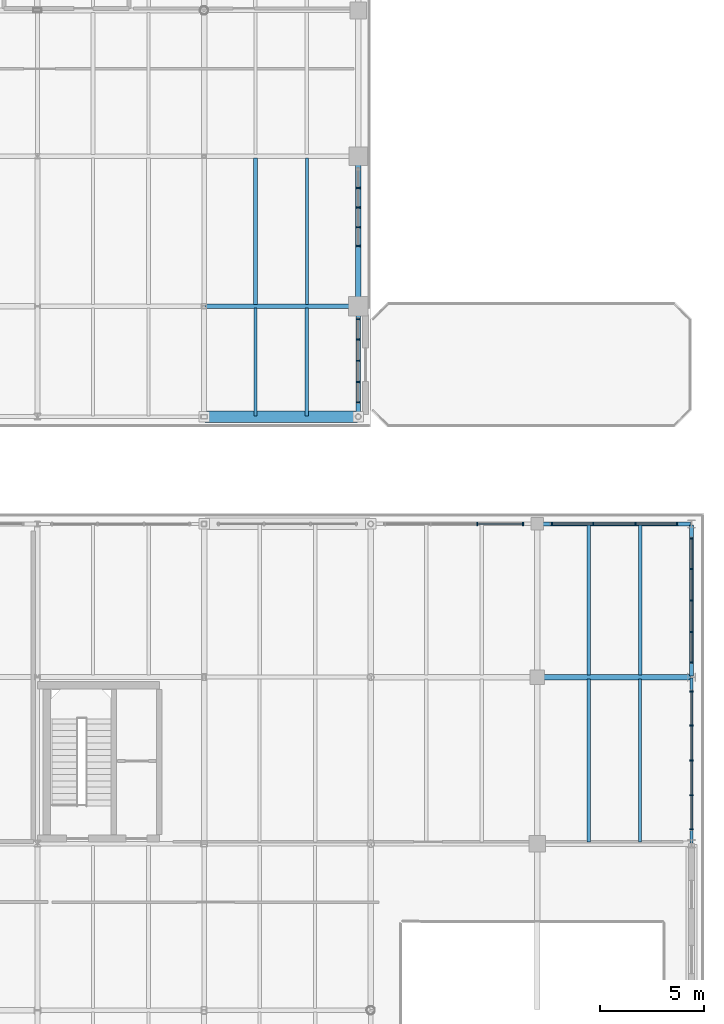
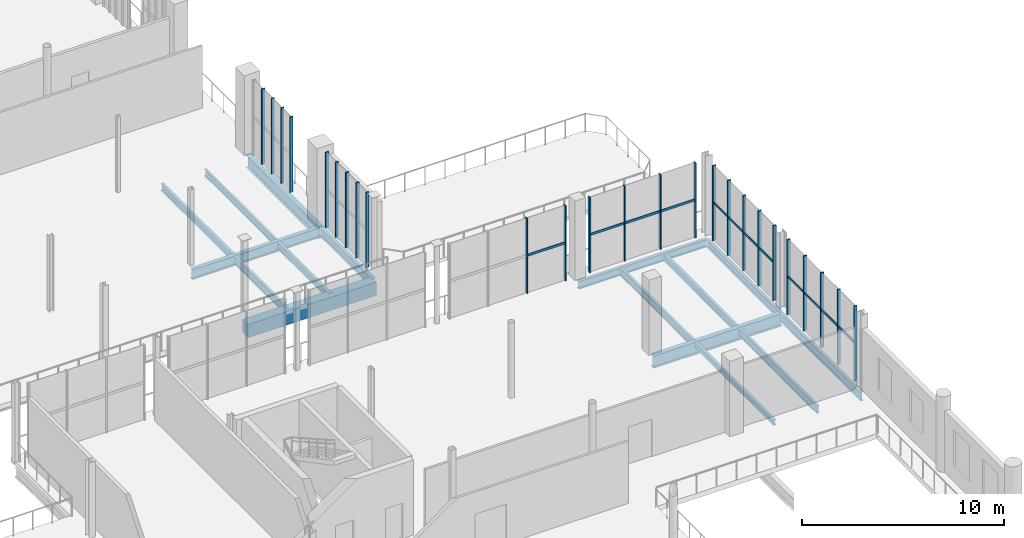
# One storey, part 55 of 93: 37 members, 16 beams, 6 elements without a shape of their own.
"""IFC4 building model written with IfcOpenShell, lengths in metres."""

from ifc_helpers import new_model, si_unit, direction, frame, origin, origin_2d, place, context, subcontext, project, spatial, rectangle, i_section, extrude, material, material_profile, profile_set, type_object, element, aggregate, save


model = new_model("IFC4")

# Units and contexts
model_context = context("Model", 3, precision=1e-05, world=origin(), true_north=direction((0.0, 1.0)))
body_context = subcontext(model_context, "Body", "Model", "MODEL_VIEW")
ifc_project = project(units=[si_unit("LENGTHUNIT", "METRE"), si_unit("AREAUNIT", "SQUARE_METRE"), si_unit("VOLUMEUNIT", "CUBIC_METRE"), si_unit("PLANEANGLEUNIT", "RADIAN"), si_unit("MASSUNIT", "GRAM", prefix="KILO")], contexts=[model_context])

# Site, building, storey
site_placement = place(None, origin())
site = spatial("IfcSite", under=ifc_project, at=site_placement, CompositionType="ELEMENT")
building_placement = place(site_placement, origin())
building = spatial("IfcBuilding", under=site, at=building_placement, Name="Brisemont Oceanarium", CompositionType="ELEMENT")
storey_placement = place(building_placement, frame((0.0, 0.0, 5.39990234375)))
storey = spatial("IfcBuildingStorey", under=building, at=storey_placement, Name="L01", CompositionType="ELEMENT", Elevation=5.39990234375)

# Beams
ifc_material_1 = material(Name="Concrete C40/50", Category="concrete")
ifc_material_profile_1 = material_profile(ifc_material_1, rectangle(XDim=0.550048828125, YDim=0.800048828125, at=origin_2d()), Name="RC-BM-550X800")
ifc_profile_set_1 = profile_set([ifc_material_profile_1], Name="Concrete C40/50")
beam_type_1 = type_object("IfcBeamType", Name="BM-RC550X800", PredefinedType="SPANDREL", material=ifc_profile_set_1)
beam_1_placement = place(storey_placement, frame((136.0400390625, 36.5, -0.699951171875), z_axis=(1.0, 0.0, 0.0), x_axis=(0.0, 1.0, 0.0)))
element("IfcBeam", 1, at=beam_1_placement, inside=storey, type_object=beam_type_1, Name="V5E L01 EW girder", PredefinedType="SPANDREL", context=body_context, shape_type="SweptSolid", body=[
    extrude(rectangle(XDim=0.550048828125, YDim=0.800048828125, at=origin_2d()), origin(), (0.0, 0.0, 1.0), 7.320068359375),
])
ifc_material_2 = material(Name="Structural Steel ASTM A992 Gr.50", Category="steel")
ifc_material_profile_2 = material_profile(ifc_material_2, i_section(OverallWidth=0.1650390625, OverallDepth=0.31005859375, WebThickness=0.005859375, FlangeThickness=0.009765625, FilletRadius=0.008056640625, at=origin_2d()), Name="W12X26")
ifc_profile_set_2 = profile_set([ifc_material_profile_2], Name="Structural Steel ASTM A992 Gr.50")
beam_type_2 = type_object("IfcBeamType", Name="BM-W12X26", PredefinedType="JOIST", material=ifc_profile_set_2)
beam_2_placement = place(storey_placement, frame((154.466796875, 16.090087890625, -0.454833984375), z_axis=(0.0, 1.0, 0.0), x_axis=(-1.0, 0.0, 0.0)))
element("IfcBeam", 2, at=beam_2_placement, inside=storey, type_object=beam_type_2, Name="V3 L01 secondary floor beam", PredefinedType="JOIST", context=body_context, shape_type="SweptSolid", body=[
    extrude(i_section(OverallWidth=0.1650390625, OverallDepth=0.31005859375, WebThickness=0.005859375, FlangeThickness=0.009765625, FilletRadius=0.008056640625, at=origin_2d()), origin(), (0.0, 0.0, 1.0), 7.81982421875),
])
ifc_material_3 = material(Name="Structural Steel ASTM A992 Gr.50", Category="steel")
ifc_material_profile_3 = material_profile(ifc_material_3, i_section(OverallWidth=0.139892578125, OverallDepth=0.39892578125, WebThickness=0.00634765625, FlangeThickness=0.0087890625, FilletRadius=0.010009765625, at=origin_2d()), Name="W16X26")
ifc_profile_set_3 = profile_set([ifc_material_profile_3], Name="Structural Steel ASTM A992 Gr.50")
beam_type_3 = type_object("IfcBeamType", Name="BM-W16X26", PredefinedType="JOIST", material=ifc_profile_set_3)
beam_3_placement = place(storey_placement, frame((140.933349609375, 41.889892578125, -0.49951171875), z_axis=(0.0, 1.0, 0.0), x_axis=(-1.0, 0.0, 0.0)))
element("IfcBeam", 3, at=beam_3_placement, inside=storey, type_object=beam_type_3, Name="V5E L01 secondary floor beam", PredefinedType="JOIST", context=body_context, shape_type="SweptSolid", body=[
    extrude(i_section(OverallWidth=0.139892578125, OverallDepth=0.39892578125, WebThickness=0.00634765625, FlangeThickness=0.0087890625, FilletRadius=0.010009765625, at=origin_2d()), origin(), (0.0, 0.0, 1.0), 7.02001953125),
])
ifc_material_4 = material(Name="Structural Steel ASTM A992 Gr.50", Category="steel")
ifc_material_profile_4 = material_profile(ifc_material_4, i_section(OverallWidth=0.177978515625, OverallDepth=0.404052734375, WebThickness=0.007568359375, FlangeThickness=0.010986328125, FilletRadius=0.010009765625, at=origin_2d()), Name="W16X36")
ifc_profile_set_4 = profile_set([ifc_material_profile_4], Name="Structural Steel ASTM A992 Gr.50")
beam_type_4 = type_object("IfcBeamType", Name="BM-W16X36", PredefinedType="JOIST", material=ifc_profile_set_4)
beam_4_placement = place(storey_placement, frame((156.933349609375, 24.090087890625, -0.501953125), z_axis=(0.0, 1.0, 0.0), x_axis=(-1.0, 0.0, 0.0)))
element("IfcBeam", 4, at=beam_4_placement, inside=storey, type_object=beam_type_4, Name="V3 L01 secondary floor beam", PredefinedType="JOIST", context=body_context, shape_type="SweptSolid", body=[
    extrude(i_section(OverallWidth=0.177978515625, OverallDepth=0.404052734375, WebThickness=0.007568359375, FlangeThickness=0.010986328125, FilletRadius=0.010009765625, at=origin_2d()), origin(), (0.0, 0.0, 1.0), 7.219970703125),
])
beam_5_placement = place(storey_placement, frame((140.933349609375, 36.5400390625, -0.501953125), z_axis=(0.0, 1.0, 0.0), x_axis=(-1.0, 0.0, 0.0)))
element("IfcBeam", 5, at=beam_5_placement, inside=storey, type_object=beam_type_4, Name="V5E L01 secondary floor beam", PredefinedType="JOIST", context=body_context, shape_type="SweptSolid", body=[
    extrude(i_section(OverallWidth=0.177978515625, OverallDepth=0.404052734375, WebThickness=0.007568359375, FlangeThickness=0.010986328125, FilletRadius=0.010009765625, at=origin_2d()), origin(), (0.0, 0.0, 1.0), 5.169921875),
])
beam_6_placement = place(storey_placement, frame((138.466796875, 41.889892578125, -0.501953125), z_axis=(0.0, 1.0, 0.0), x_axis=(-1.0, 0.0, 0.0)))
element("IfcBeam", 6, at=beam_6_placement, inside=storey, type_object=beam_type_4, Name="V5E L01 secondary floor beam", PredefinedType="JOIST", context=body_context, shape_type="SweptSolid", body=[
    extrude(i_section(OverallWidth=0.177978515625, OverallDepth=0.404052734375, WebThickness=0.007568359375, FlangeThickness=0.010986328125, FilletRadius=0.010009765625, at=origin_2d()), origin(), (0.0, 0.0, 1.0), 7.02001953125),
])
ifc_material_5 = material(Name="Structural Steel ASTM A992 Gr.50", Category="steel")
ifc_material_profile_5 = material_profile(ifc_material_5, i_section(OverallWidth=0.153076171875, OverallDepth=0.455078125, WebThickness=0.008056640625, FlangeThickness=0.01318359375, FilletRadius=0.010986328125, at=origin_2d()), Name="W18X40")
ifc_profile_set_5 = profile_set([ifc_material_profile_5], Name="Structural Steel ASTM A992 Gr.50")
beam_type_5 = type_object("IfcBeamType", Name="BM-W18X40", PredefinedType="JOIST", material=ifc_profile_set_5)
beam_7_placement = place(storey_placement, frame((156.933349609375, 16.090087890625, -0.52734375), z_axis=(0.0, 1.0, 0.0), x_axis=(-1.0, 0.0, 0.0)))
element("IfcBeam", 7, at=beam_7_placement, inside=storey, type_object=beam_type_5, Name="V3 L01 secondary floor beam", PredefinedType="JOIST", context=body_context, shape_type="SweptSolid", body=[
    extrude(i_section(OverallWidth=0.153076171875, OverallDepth=0.455078125, WebThickness=0.008056640625, FlangeThickness=0.01318359375, FilletRadius=0.010986328125, at=origin_2d()), origin(), (0.0, 0.0, 1.0), 7.81982421875),
])
beam_8_placement = place(storey_placement, frame((154.466796875, 24.090087890625, -0.52734375), z_axis=(0.0, 1.0, 0.0), x_axis=(-1.0, 0.0, 0.0)))
element("IfcBeam", 8, at=beam_8_placement, inside=storey, type_object=beam_type_5, Name="V3 L01 secondary floor beam", PredefinedType="JOIST", context=body_context, shape_type="SweptSolid", body=[
    extrude(i_section(OverallWidth=0.153076171875, OverallDepth=0.455078125, WebThickness=0.008056640625, FlangeThickness=0.01318359375, FilletRadius=0.010986328125, at=origin_2d()), origin(), (0.0, 0.0, 1.0), 7.219970703125),
])
beam_9_placement = place(storey_placement, frame((138.466796875, 36.5400390625, -0.52734375), z_axis=(0.0, 1.0, 0.0), x_axis=(-1.0, 0.0, 0.0)))
element("IfcBeam", 9, at=beam_9_placement, inside=storey, type_object=beam_type_5, Name="V5E L01 secondary floor beam", PredefinedType="JOIST", context=body_context, shape_type="SweptSolid", body=[
    extrude(i_section(OverallWidth=0.153076171875, OverallDepth=0.455078125, WebThickness=0.008056640625, FlangeThickness=0.01318359375, FilletRadius=0.010986328125, at=origin_2d()), origin(), (0.0, 0.0, 1.0), 5.169921875),
])
ifc_material_6 = material(Name="Structural Steel ASTM A992 Gr.50", Category="steel")
ifc_material_profile_6 = material_profile(ifc_material_6, i_section(OverallWidth=0.19091796875, OverallDepth=0.4599609375, WebThickness=0.010009765625, FlangeThickness=0.01611328125, FilletRadius=0.010986328125, at=origin_2d()), Name="W18X55")
ifc_profile_set_6 = profile_set([ifc_material_profile_6], Name="Structural Steel ASTM A992 Gr.50")
beam_type_6 = type_object("IfcBeamType", Name="BM-W18X55", PredefinedType="SPANDREL", material=ifc_profile_set_6)
beam_10_placement = place(storey_placement, frame((152.0400390625, 31.35009765625, -0.52978515625), z_axis=(1.0, 0.0, 0.0), x_axis=(0.0, 1.0, 0.0)))
element("IfcBeam", 10, at=beam_10_placement, inside=storey, type_object=beam_type_6, Name="V3 L01 EW girder", PredefinedType="SPANDREL", context=body_context, shape_type="SweptSolid", body=[
    extrude(i_section(OverallWidth=0.19091796875, OverallDepth=0.4599609375, WebThickness=0.010009765625, FlangeThickness=0.01611328125, FilletRadius=0.010986328125, at=origin_2d()), origin(), (0.0, 0.0, 1.0), 7.320068359375),
])
beam_11_placement = place(storey_placement, frame((159.39990234375, 24.0400390625, -0.52978515625), z_axis=(0.0, 1.0, 0.0), x_axis=(-1.0, 0.0, 0.0)))
element("IfcBeam", 11, at=beam_11_placement, inside=storey, type_object=beam_type_6, Name="V3 L01 NS girder", PredefinedType="SPANDREL", context=body_context, shape_type="SweptSolid", body=[
    extrude(i_section(OverallWidth=0.19091796875, OverallDepth=0.4599609375, WebThickness=0.010009765625, FlangeThickness=0.01611328125, FilletRadius=0.010986328125, at=origin_2d()), origin(), (0.0, 0.0, 1.0), 7.27001953125),
])
ifc_material_7 = material(Name="Structural Steel ASTM A992 Gr.50", Category="steel")
ifc_material_profile_7 = material_profile(ifc_material_7, i_section(OverallWidth=0.166015625, OverallDepth=0.528076171875, WebThickness=0.009765625, FlangeThickness=0.013671875, FilletRadius=0.012939453125, at=origin_2d()), Name="W21X50")
ifc_profile_set_7 = profile_set([ifc_material_profile_7], Name="Structural Steel ASTM A992 Gr.50")
beam_type_7 = type_object("IfcBeamType", Name="BM-W21X50", PredefinedType="SPANDREL", material=ifc_profile_set_7)
beam_12_placement = place(storey_placement, frame((159.39990234375, 16.0400390625, -0.56396484375), z_axis=(0.0, 1.0, 0.0), x_axis=(-1.0, 0.0, 0.0)))
element("IfcBeam", 12, at=beam_12_placement, inside=storey, type_object=beam_type_7, Name="V3 L01 NS girder", PredefinedType="SPANDREL", context=body_context, shape_type="SweptSolid", body=[
    extrude(i_section(OverallWidth=0.166015625, OverallDepth=0.528076171875, WebThickness=0.009765625, FlangeThickness=0.013671875, FilletRadius=0.012939453125, at=origin_2d()), origin(), (0.0, 0.0, 1.0), 7.919921875),
])
ifc_material_8 = material(Name="Structural Steel ASTM A992 Gr.50", Category="steel")
ifc_material_profile_8 = material_profile(ifc_material_8, i_section(OverallWidth=0.2099609375, OverallDepth=0.532958984375, WebThickness=0.01025390625, FlangeThickness=0.015625, FilletRadius=0.012939453125, at=origin_2d()), Name="W21X62")
ifc_profile_set_8 = profile_set([ifc_material_profile_8], Name="Structural Steel ASTM A992 Gr.50")
beam_type_8 = type_object("IfcBeamType", Name="BM-W21X62", PredefinedType="BEAM", material=ifc_profile_set_8)
beam_13_placement = place(storey_placement, frame((143.39990234375, 36.5400390625, -0.56640625), z_axis=(0.0, 1.0, 0.0), x_axis=(-1.0, 0.0, 0.0)))
element("IfcBeam", 13, at=beam_13_placement, inside=storey, type_object=beam_type_8, Name="V5E L01 NS girder", PredefinedType="BEAM", context=body_context, shape_type="SweptSolid", body=[
    extrude(i_section(OverallWidth=0.2099609375, OverallDepth=0.532958984375, WebThickness=0.01025390625, FlangeThickness=0.015625, FilletRadius=0.012939453125, at=origin_2d()), origin(), (0.0, 0.0, 1.0), 5.219970703125),
])
ifc_material_9 = material(Name="Structural Steel ASTM A992 Gr.50", Category="steel")
ifc_material_profile_9 = material_profile(ifc_material_9, i_section(OverallWidth=0.22802734375, OverallDepth=0.60791015625, WebThickness=0.01123046875, FlangeThickness=0.017333984375, FilletRadius=0.012939453125, at=origin_2d()), Name="W24X76")
ifc_profile_set_9 = profile_set([ifc_material_profile_9], Name="Structural Steel ASTM A992 Gr.50")
beam_type_9 = type_object("IfcBeamType", Name="BM-W24X76", PredefinedType="BEAM", material=ifc_profile_set_9)
beam_14_placement = place(storey_placement, frame((136.0400390625, 41.800048828125, -0.60400390625), z_axis=(1.0, 0.0, 0.0), x_axis=(0.0, 1.0, 0.0)))
element("IfcBeam", 14, at=beam_14_placement, inside=storey, type_object=beam_type_9, Name="V5E L01 EW girder", PredefinedType="BEAM", context=body_context, shape_type="SweptSolid", body=[
    extrude(i_section(OverallWidth=0.22802734375, OverallDepth=0.60791015625, WebThickness=0.01123046875, FlangeThickness=0.017333984375, FilletRadius=0.012939453125, at=origin_2d()), origin(), (0.0, 0.0, 1.0), 7.320068359375),
])
ifc_material_10 = material(Name="Structural Steel ASTM A992 Gr.50", Category="steel")
ifc_material_profile_10 = material_profile(ifc_material_10, i_section(OverallWidth=0.26708984375, OverallDepth=0.761962890625, WebThickness=0.014404296875, FlangeThickness=0.021484375, FilletRadius=0.01611328125, at=origin_2d()), Name="W30X116")
ifc_profile_set_10 = profile_set([ifc_material_profile_10], Name="Structural Steel ASTM A992 Gr.50")
beam_type_10 = type_object("IfcBeamType", Name="BM-W30X116", PredefinedType="BEAM", material=ifc_profile_set_10)
beam_15_placement = place(storey_placement, frame((143.39990234375, 41.840087890625, -0.680908203125), z_axis=(0.0, 1.0, 0.0), x_axis=(-1.0, 0.0, 0.0)))
element("IfcBeam", 15, at=beam_15_placement, inside=storey, type_object=beam_type_10, Name="V5E L01 NS girder", PredefinedType="BEAM", context=body_context, shape_type="SweptSolid", body=[
    extrude(i_section(OverallWidth=0.26708984375, OverallDepth=0.761962890625, WebThickness=0.014404296875, FlangeThickness=0.021484375, FilletRadius=0.01611328125, at=origin_2d()), origin(), (0.0, 0.0, 1.0), 7.119873046875),
])
ifc_material_11 = material(Name="Structural Steel ASTM A992 Gr.50", Category="steel")
ifc_material_profile_11 = material_profile(ifc_material_11, i_section(OverallWidth=0.264892578125, OverallDepth=0.7529296875, WebThickness=0.01318359375, FlangeThickness=0.01708984375, FilletRadius=0.01611328125, at=origin_2d()), Name="W30X99")
ifc_profile_set_11 = profile_set([ifc_material_profile_11], Name="Structural Steel ASTM A992 Gr.50")
beam_type_11 = type_object("IfcBeamType", Name="BM-W30X99", PredefinedType="BEAM", material=ifc_profile_set_11)
beam_16_placement = place(storey_placement, frame((152.0400390625, 24.0, -0.676513671875), z_axis=(1.0, 0.0, 0.0), x_axis=(0.0, 1.0, 0.0)))
element("IfcBeam", 16, at=beam_16_placement, inside=storey, type_object=beam_type_11, Name="V3 L01 EW girder", PredefinedType="BEAM", context=body_context, shape_type="SweptSolid", body=[
    extrude(i_section(OverallWidth=0.264892578125, OverallDepth=0.7529296875, WebThickness=0.01318359375, FlangeThickness=0.01708984375, FilletRadius=0.01611328125, at=origin_2d()), origin(), (0.0, 0.0, 1.0), 7.320068359375),
])

# Curtain wall, members
ifc_material_12 = material(Name="Anodized Extruded Aluminum 6063-T6", Category="aluminium")
curtain_wall_type_1 = type_object("IfcCurtainWallType", Name="CW-EDU-69X45", PredefinedType="NOTDEFINED", material=ifc_material_12)
curtain_wall_1_placement = place(storey_placement, origin())
curtain_wall_1 = element("IfcCurtainWall", 17, at=curtain_wall_1_placement, inside=storey, type_object=curtain_wall_type_1, Name="CW-07 curtain wall CW-V3-E-L01-01", PredefinedType="NOTDEFINED")
ifc_material_13 = material(Name="Anodized Extruded Aluminum 6063-T6", Category="aluminium")
ifc_material_profile_12 = material_profile(ifc_material_13, rectangle(XDim=0.06494140625, YDim=0.179931640625, at=origin_2d()), Name="CWM-65X180")
ifc_profile_set_12 = profile_set([ifc_material_profile_12], Name="Anodized Extruded Aluminum 6063-T6")
member_type_1 = type_object("IfcMemberType", Name="MEM-CWM-65", PredefinedType="MULLION", material=ifc_profile_set_12)
member_1_placement = place(storey_placement, frame((159.39990234375, 16.695068359375, 0.0), z_axis=(0.0, 0.0, 1.0), x_axis=(0.0, 1.0, 0.0)))
member_1 = element("IfcMember", 18, at=member_1_placement, type_object=member_type_1, Name="CW-V3-E-L01-01 mullion 1", PredefinedType="MULLION", context=body_context, shape_type="SweptSolid", body=[
    extrude(rectangle(XDim=0.06494140625, YDim=0.179931640625, at=origin_2d()), origin(), (0.0, 0.0, 1.0), 4.52001953125),
])
member_2_placement = place(storey_placement, frame((159.39990234375, 18.324951171875, 0.0), z_axis=(0.0, 0.0, 1.0), x_axis=(0.0, 1.0, 0.0)))
member_2 = element("IfcMember", 19, at=member_2_placement, type_object=member_type_1, Name="CW-V3-E-L01-01 mullion 2", PredefinedType="MULLION", context=body_context, shape_type="SweptSolid", body=[
    extrude(rectangle(XDim=0.06494140625, YDim=0.179931640625, at=origin_2d()), origin(), (0.0, 0.0, 1.0), 4.52001953125),
])
member_3_placement = place(storey_placement, frame((159.39990234375, 20.0, 0.0), z_axis=(0.0, 0.0, 1.0), x_axis=(0.0, 1.0, 0.0)))
member_3 = element("IfcMember", 20, at=member_3_placement, type_object=member_type_1, Name="CW-V3-E-L01-01 mullion 3", PredefinedType="MULLION", context=body_context, shape_type="SweptSolid", body=[
    extrude(rectangle(XDim=0.06494140625, YDim=0.179931640625, at=origin_2d()), origin(), (0.0, 0.0, 1.0), 4.52001953125),
])
member_4_placement = place(storey_placement, frame((159.39990234375, 21.675048828125, 0.0), z_axis=(0.0, 0.0, 1.0), x_axis=(0.0, 1.0, 0.0)))
member_4 = element("IfcMember", 21, at=member_4_placement, type_object=member_type_1, Name="CW-V3-E-L01-01 mullion 4", PredefinedType="MULLION", context=body_context, shape_type="SweptSolid", body=[
    extrude(rectangle(XDim=0.06494140625, YDim=0.179931640625, at=origin_2d()), origin(), (0.0, 0.0, 1.0), 4.52001953125),
])
member_5_placement = place(storey_placement, frame((159.39990234375, 23.304931640625, 0.0), z_axis=(0.0, 0.0, 1.0), x_axis=(0.0, 1.0, 0.0)))
member_5 = element("IfcMember", 22, at=member_5_placement, type_object=member_type_1, Name="CW-V3-E-L01-01 mullion 5", PredefinedType="MULLION", context=body_context, shape_type="SweptSolid", body=[
    extrude(rectangle(XDim=0.06494140625, YDim=0.179931640625, at=origin_2d()), origin(), (0.0, 0.0, 1.0), 4.52001953125),
])

curtain_wall_2_placement = place(storey_placement, origin())
curtain_wall_2 = element("IfcCurtainWall", 23, at=curtain_wall_2_placement, inside=storey, type_object=curtain_wall_type_1, Name="CW-07 curtain wall CW-V3-E-L01-02", PredefinedType="NOTDEFINED")
member_6_placement = place(storey_placement, frame((159.39990234375, 24.695068359375, 0.0), z_axis=(0.0, 0.0, 1.0), x_axis=(0.0, 1.0, 0.0)))
member_6 = element("IfcMember", 24, at=member_6_placement, type_object=member_type_1, Name="CW-V3-E-L01-02 mullion 1", PredefinedType="MULLION", context=body_context, shape_type="SweptSolid", body=[
    extrude(rectangle(XDim=0.06494140625, YDim=0.179931640625, at=origin_2d()), origin(), (0.0, 0.0, 1.0), 4.52001953125),
])
member_7_placement = place(storey_placement, frame((159.39990234375, 26.16259765625, 0.0), z_axis=(0.0, 0.0, 1.0), x_axis=(0.0, 1.0, 0.0)))
member_7 = element("IfcMember", 25, at=member_7_placement, type_object=member_type_1, Name="CW-V3-E-L01-02 mullion 2", PredefinedType="MULLION", context=body_context, shape_type="SweptSolid", body=[
    extrude(rectangle(XDim=0.06494140625, YDim=0.179931640625, at=origin_2d()), origin(), (0.0, 0.0, 1.0), 4.52001953125),
])
member_8_placement = place(storey_placement, frame((159.39990234375, 27.675048828125, 0.0), z_axis=(0.0, 0.0, 1.0), x_axis=(0.0, 1.0, 0.0)))
member_8 = element("IfcMember", 26, at=member_8_placement, type_object=member_type_1, Name="CW-V3-E-L01-02 mullion 3", PredefinedType="MULLION", context=body_context, shape_type="SweptSolid", body=[
    extrude(rectangle(XDim=0.06494140625, YDim=0.179931640625, at=origin_2d()), origin(), (0.0, 0.0, 1.0), 4.52001953125),
])
member_9_placement = place(storey_placement, frame((159.39990234375, 29.1875, 0.0), z_axis=(0.0, 0.0, 1.0), x_axis=(0.0, 1.0, 0.0)))
member_9 = element("IfcMember", 27, at=member_9_placement, type_object=member_type_1, Name="CW-V3-E-L01-02 mullion 4", PredefinedType="MULLION", context=body_context, shape_type="SweptSolid", body=[
    extrude(rectangle(XDim=0.06494140625, YDim=0.179931640625, at=origin_2d()), origin(), (0.0, 0.0, 1.0), 4.52001953125),
])
member_10_placement = place(storey_placement, frame((159.39990234375, 30.655029296875, 0.0), z_axis=(0.0, 0.0, 1.0), x_axis=(0.0, 1.0, 0.0)))
member_10 = element("IfcMember", 28, at=member_10_placement, type_object=member_type_1, Name="CW-V3-E-L01-02 mullion 5", PredefinedType="MULLION", context=body_context, shape_type="SweptSolid", body=[
    extrude(rectangle(XDim=0.06494140625, YDim=0.179931640625, at=origin_2d()), origin(), (0.0, 0.0, 1.0), 4.52001953125),
])

ifc_material_14 = material(Name="Anodized Extruded Aluminum 6063-T6", Category="aluminium")
curtain_wall_type_2 = type_object("IfcCurtainWallType", Name="CW-EDU-58X43", PredefinedType="NOTDEFINED", material=ifc_material_14)
curtain_wall_3_placement = place(storey_placement, origin())
curtain_wall_3 = element("IfcCurtainWall", 29, at=curtain_wall_3_placement, inside=storey, type_object=curtain_wall_type_2, Name="CW-10 curtain wall CW-V3-N-L01-04", PredefinedType="NOTDEFINED")
member_11_placement = place(storey_placement, frame((149.11669921875, 31.35009765625, 0.0), z_axis=(0.0, 0.0, 1.0), x_axis=(1.0, 0.0, 0.0)))
member_11 = element("IfcMember", 30, at=member_11_placement, type_object=member_type_1, Name="CW-V3-N-L01-04 mullion 3", PredefinedType="MULLION", context=body_context, shape_type="SweptSolid", body=[
    extrude(rectangle(XDim=0.06494140625, YDim=0.179931640625, at=origin_2d()), origin(), (0.0, 0.0, 1.0), 4.52001953125),
])
member_12_placement = place(storey_placement, frame((151.304931640625, 31.35009765625, 0.0), z_axis=(0.0, 0.0, 1.0), x_axis=(1.0, 0.0, 0.0)))
member_12 = element("IfcMember", 31, at=member_12_placement, type_object=member_type_1, Name="CW-V3-N-L01-04 mullion 4", PredefinedType="MULLION", context=body_context, shape_type="SweptSolid", body=[
    extrude(rectangle(XDim=0.06494140625, YDim=0.179931640625, at=origin_2d()), origin(), (0.0, 0.0, 1.0), 4.52001953125),
])

curtain_wall_4_placement = place(storey_placement, origin())
curtain_wall_4 = element("IfcCurtainWall", 32, at=curtain_wall_4_placement, inside=storey, type_object=curtain_wall_type_2, Name="CW-10 curtain wall CW-V3-N-L01-05", PredefinedType="NOTDEFINED")
member_13_placement = place(storey_placement, frame((152.695068359375, 31.35009765625, 0.0), z_axis=(0.0, 0.0, 1.0), x_axis=(1.0, 0.0, 0.0)))
member_13 = element("IfcMember", 33, at=member_13_placement, type_object=member_type_1, Name="CW-V3-N-L01-05 mullion 1", PredefinedType="MULLION", context=body_context, shape_type="SweptSolid", body=[
    extrude(rectangle(XDim=0.06494140625, YDim=0.179931640625, at=origin_2d()), origin(), (0.0, 0.0, 1.0), 4.52001953125),
])
member_14_placement = place(storey_placement, frame((154.683349609375, 31.35009765625, 0.0), z_axis=(0.0, 0.0, 1.0), x_axis=(1.0, 0.0, 0.0)))
member_14 = element("IfcMember", 34, at=member_14_placement, type_object=member_type_1, Name="CW-V3-N-L01-05 mullion 2", PredefinedType="MULLION", context=body_context, shape_type="SweptSolid", body=[
    extrude(rectangle(XDim=0.06494140625, YDim=0.179931640625, at=origin_2d()), origin(), (0.0, 0.0, 1.0), 4.52001953125),
])
member_15_placement = place(storey_placement, frame((156.716796875, 31.35009765625, 0.0), z_axis=(0.0, 0.0, 1.0), x_axis=(1.0, 0.0, 0.0)))
member_15 = element("IfcMember", 35, at=member_15_placement, type_object=member_type_1, Name="CW-V3-N-L01-05 mullion 3", PredefinedType="MULLION", context=body_context, shape_type="SweptSolid", body=[
    extrude(rectangle(XDim=0.06494140625, YDim=0.179931640625, at=origin_2d()), origin(), (0.0, 0.0, 1.0), 4.52001953125),
])
member_16_placement = place(storey_placement, frame((158.705078125, 31.35009765625, 0.0), z_axis=(0.0, 0.0, 1.0), x_axis=(1.0, 0.0, 0.0)))
member_16 = element("IfcMember", 36, at=member_16_placement, type_object=member_type_1, Name="CW-V3-N-L01-05 mullion 4", PredefinedType="MULLION", context=body_context, shape_type="SweptSolid", body=[
    extrude(rectangle(XDim=0.06494140625, YDim=0.179931640625, at=origin_2d()), origin(), (0.0, 0.0, 1.0), 4.52001953125),
])

ifc_material_15 = material(Name="Anodized Extruded Aluminum 6063-T6", Category="aluminium")
curtain_wall_type_3 = type_object("IfcCurtainWallType", Name="CW-GAL-69X43", PredefinedType="NOTDEFINED", material=ifc_material_15)
curtain_wall_5_placement = place(storey_placement, origin())
curtain_wall_5 = element("IfcCurtainWall", 37, at=curtain_wall_5_placement, inside=storey, type_object=curtain_wall_type_3, Name="CW-12 curtain wall CW-V5E-MC-L01-01", PredefinedType="NOTDEFINED")
member_17_placement = place(storey_placement, frame((143.39990234375, 37.195068359375, 0.0), z_axis=(0.0, 0.0, 1.0), x_axis=(0.0, 1.0, 0.0)))
member_17 = element("IfcMember", 38, at=member_17_placement, type_object=member_type_1, Name="CW-V5E-MC-L01-01 mullion 1", PredefinedType="MULLION", context=body_context, shape_type="SweptSolid", body=[
    extrude(rectangle(XDim=0.06494140625, YDim=0.179931640625, at=origin_2d()), origin(), (0.0, 0.0, 1.0), 4.5400390625),
])
member_18_placement = place(storey_placement, frame((143.39990234375, 38.16748046875, 0.0), z_axis=(0.0, 0.0, 1.0), x_axis=(0.0, 1.0, 0.0)))
member_18 = element("IfcMember", 39, at=member_18_placement, type_object=member_type_1, Name="CW-V5E-MC-L01-01 mullion 2", PredefinedType="MULLION", context=body_context, shape_type="SweptSolid", body=[
    extrude(rectangle(XDim=0.06494140625, YDim=0.179931640625, at=origin_2d()), origin(), (0.0, 0.0, 1.0), 4.5400390625),
])
member_19_placement = place(storey_placement, frame((143.39990234375, 39.18505859375, 0.0), z_axis=(0.0, 0.0, 1.0), x_axis=(0.0, 1.0, 0.0)))
member_19 = element("IfcMember", 40, at=member_19_placement, type_object=member_type_1, Name="CW-V5E-MC-L01-01 mullion 3", PredefinedType="MULLION", context=body_context, shape_type="SweptSolid", body=[
    extrude(rectangle(XDim=0.06494140625, YDim=0.179931640625, at=origin_2d()), origin(), (0.0, 0.0, 1.0), 4.5400390625),
])
member_20_placement = place(storey_placement, frame((143.39990234375, 40.202392578125, 0.0), z_axis=(0.0, 0.0, 1.0), x_axis=(0.0, 1.0, 0.0)))
member_20 = element("IfcMember", 41, at=member_20_placement, type_object=member_type_1, Name="CW-V5E-MC-L01-01 mullion 4", PredefinedType="MULLION", context=body_context, shape_type="SweptSolid", body=[
    extrude(rectangle(XDim=0.06494140625, YDim=0.179931640625, at=origin_2d()), origin(), (0.0, 0.0, 1.0), 4.5400390625),
])
member_21_placement = place(storey_placement, frame((143.39990234375, 41.175048828125, 0.0), z_axis=(0.0, 0.0, 1.0), x_axis=(0.0, 1.0, 0.0)))
member_21 = element("IfcMember", 42, at=member_21_placement, type_object=member_type_1, Name="CW-V5E-MC-L01-01 mullion 5", PredefinedType="MULLION", context=body_context, shape_type="SweptSolid", body=[
    extrude(rectangle(XDim=0.06494140625, YDim=0.179931640625, at=origin_2d()), origin(), (0.0, 0.0, 1.0), 4.5400390625),
])
aggregate(curtain_wall_5, [member_17, member_18, member_19, member_20, member_21])

curtain_wall_6_placement = place(storey_placement, origin())
curtain_wall_6 = element("IfcCurtainWall", 43, at=curtain_wall_6_placement, inside=storey, type_object=curtain_wall_type_3, Name="CW-12 curtain wall CW-V5E-MC-L01-02", PredefinedType="NOTDEFINED")
member_22_placement = place(storey_placement, frame((143.39990234375, 44.695068359375, 0.0), z_axis=(0.0, 0.0, 1.0), x_axis=(0.0, 1.0, 0.0)))
member_22 = element("IfcMember", 44, at=member_22_placement, type_object=member_type_1, Name="CW-V5E-MC-L01-02 mullion 1", PredefinedType="MULLION", context=body_context, shape_type="SweptSolid", body=[
    extrude(rectangle(XDim=0.06494140625, YDim=0.179931640625, at=origin_2d()), origin(), (0.0, 0.0, 1.0), 4.5400390625),
])
member_23_placement = place(storey_placement, frame((143.39990234375, 45.592529296875, 0.0), z_axis=(0.0, 0.0, 1.0), x_axis=(0.0, 1.0, 0.0)))
member_23 = element("IfcMember", 45, at=member_23_placement, type_object=member_type_1, Name="CW-V5E-MC-L01-02 mullion 2", PredefinedType="MULLION", context=body_context, shape_type="SweptSolid", body=[
    extrude(rectangle(XDim=0.06494140625, YDim=0.179931640625, at=origin_2d()), origin(), (0.0, 0.0, 1.0), 4.5400390625),
])
member_24_placement = place(storey_placement, frame((143.39990234375, 46.534912109375, 0.0), z_axis=(0.0, 0.0, 1.0), x_axis=(0.0, 1.0, 0.0)))
member_24 = element("IfcMember", 46, at=member_24_placement, type_object=member_type_1, Name="CW-V5E-MC-L01-02 mullion 3", PredefinedType="MULLION", context=body_context, shape_type="SweptSolid", body=[
    extrude(rectangle(XDim=0.06494140625, YDim=0.179931640625, at=origin_2d()), origin(), (0.0, 0.0, 1.0), 4.5400390625),
])
member_25_placement = place(storey_placement, frame((143.39990234375, 47.4775390625, 0.0), z_axis=(0.0, 0.0, 1.0), x_axis=(0.0, 1.0, 0.0)))
member_25 = element("IfcMember", 47, at=member_25_placement, type_object=member_type_1, Name="CW-V5E-MC-L01-02 mullion 4", PredefinedType="MULLION", context=body_context, shape_type="SweptSolid", body=[
    extrude(rectangle(XDim=0.06494140625, YDim=0.179931640625, at=origin_2d()), origin(), (0.0, 0.0, 1.0), 4.5400390625),
])
aggregate(curtain_wall_6, [member_22, member_23, member_24, member_25])

# Member
ifc_material_16 = material(Name="Anodized Extruded Aluminum 6063-T6", Category="aluminium")
ifc_material_profile_13 = material_profile(ifc_material_16, rectangle(XDim=0.06494140625, YDim=0.139892578125, at=origin_2d()), Name="CWT-65X140")
ifc_profile_set_13 = profile_set([ifc_material_profile_13], Name="Anodized Extruded Aluminum 6063-T6")
member_type_2 = type_object("IfcMemberType", Name="MEM-CWT-65", PredefinedType="USERDEFINED", material=ifc_profile_set_13)
member_26_placement = place(storey_placement, frame((159.39990234375, 16.6650390625, 2.260009765625), z_axis=(0.0, 1.0, 0.0), x_axis=(-1.0, 0.0, 0.0)))
member_26 = element("IfcMember", 48, at=member_26_placement, type_object=member_type_2, Name="CW-V3-E-L01-01 transom 1.1", ObjectType="TRANSOM", PredefinedType="USERDEFINED", context=body_context, shape_type="SweptSolid", body=[
    extrude(rectangle(XDim=0.06494140625, YDim=0.139892578125, at=origin_2d()), origin(), (0.0, 0.0, 1.0), 1.64501953125),
])

member_27_placement = place(storey_placement, frame((159.39990234375, 18.340087890625, 2.260009765625), z_axis=(0.0, 1.0, 0.0), x_axis=(-1.0, 0.0, 0.0)))
member_27 = element("IfcMember", 49, at=member_27_placement, type_object=member_type_2, Name="CW-V3-E-L01-01 transom 2.1", ObjectType="TRANSOM", PredefinedType="USERDEFINED", context=body_context, shape_type="SweptSolid", body=[
    extrude(rectangle(XDim=0.06494140625, YDim=0.139892578125, at=origin_2d()), origin(), (0.0, 0.0, 1.0), 1.64501953125),
])

member_28_placement = place(storey_placement, frame((159.39990234375, 20.014892578125, 2.260009765625), z_axis=(0.0, 1.0, 0.0), x_axis=(-1.0, 0.0, 0.0)))
member_28 = element("IfcMember", 50, at=member_28_placement, type_object=member_type_2, Name="CW-V3-E-L01-01 transom 3.1", ObjectType="TRANSOM", PredefinedType="USERDEFINED", context=body_context, shape_type="SweptSolid", body=[
    extrude(rectangle(XDim=0.06494140625, YDim=0.139892578125, at=origin_2d()), origin(), (0.0, 0.0, 1.0), 1.64501953125),
])

member_29_placement = place(storey_placement, frame((159.39990234375, 21.68994140625, 2.260009765625), z_axis=(0.0, 1.0, 0.0), x_axis=(-1.0, 0.0, 0.0)))
member_29 = element("IfcMember", 51, at=member_29_placement, type_object=member_type_2, Name="CW-V3-E-L01-01 transom 4.1", ObjectType="TRANSOM", PredefinedType="USERDEFINED", context=body_context, shape_type="SweptSolid", body=[
    extrude(rectangle(XDim=0.06494140625, YDim=0.139892578125, at=origin_2d()), origin(), (0.0, 0.0, 1.0), 1.64501953125),
])

aggregate(curtain_wall_1, [member_1, member_2, member_3, member_4, member_5, member_26, member_27, member_28, member_29])

member_30_placement = place(storey_placement, frame((159.39990234375, 24.6650390625, 2.260009765625), z_axis=(0.0, 1.0, 0.0), x_axis=(-1.0, 0.0, 0.0)))
member_30 = element("IfcMember", 52, at=member_30_placement, type_object=member_type_2, Name="CW-V3-E-L01-02 transom 1.1", ObjectType="TRANSOM", PredefinedType="USERDEFINED", context=body_context, shape_type="SweptSolid", body=[
    extrude(rectangle(XDim=0.06494140625, YDim=0.139892578125, at=origin_2d()), origin(), (0.0, 0.0, 1.0), 1.482421875),
])

member_31_placement = place(storey_placement, frame((159.39990234375, 26.177490234375, 2.260009765625), z_axis=(0.0, 1.0, 0.0), x_axis=(-1.0, 0.0, 0.0)))
member_31 = element("IfcMember", 53, at=member_31_placement, type_object=member_type_2, Name="CW-V3-E-L01-02 transom 2.1", ObjectType="TRANSOM", PredefinedType="USERDEFINED", context=body_context, shape_type="SweptSolid", body=[
    extrude(rectangle(XDim=0.06494140625, YDim=0.139892578125, at=origin_2d()), origin(), (0.0, 0.0, 1.0), 1.482421875),
])

member_32_placement = place(storey_placement, frame((159.39990234375, 27.68994140625, 2.260009765625), z_axis=(0.0, 1.0, 0.0), x_axis=(-1.0, 0.0, 0.0)))
member_32 = element("IfcMember", 54, at=member_32_placement, type_object=member_type_2, Name="CW-V3-E-L01-02 transom 3.1", ObjectType="TRANSOM", PredefinedType="USERDEFINED", context=body_context, shape_type="SweptSolid", body=[
    extrude(rectangle(XDim=0.06494140625, YDim=0.139892578125, at=origin_2d()), origin(), (0.0, 0.0, 1.0), 1.482666015625),
])

member_33_placement = place(storey_placement, frame((159.39990234375, 29.202392578125, 2.260009765625), z_axis=(0.0, 1.0, 0.0), x_axis=(-1.0, 0.0, 0.0)))
member_33 = element("IfcMember", 55, at=member_33_placement, type_object=member_type_2, Name="CW-V3-E-L01-02 transom 4.1", ObjectType="TRANSOM", PredefinedType="USERDEFINED", context=body_context, shape_type="SweptSolid", body=[
    extrude(rectangle(XDim=0.06494140625, YDim=0.139892578125, at=origin_2d()), origin(), (0.0, 0.0, 1.0), 1.482666015625),
])

aggregate(curtain_wall_2, [member_6, member_7, member_8, member_9, member_10, member_30, member_31, member_32, member_33])

member_34_placement = place(storey_placement, frame((149.131591796875, 31.35009765625, 2.260009765625), z_axis=(1.0, 0.0, 0.0), x_axis=(0.0, 1.0, 0.0)))
member_34 = element("IfcMember", 56, at=member_34_placement, type_object=member_type_2, Name="CW-V3-N-L01-04 transom 3.1", ObjectType="TRANSOM", PredefinedType="USERDEFINED", context=body_context, shape_type="SweptSolid", body=[
    extrude(rectangle(XDim=0.06494140625, YDim=0.139892578125, at=origin_2d()), origin(), (0.0, 0.0, 1.0), 2.203369140625),
])

aggregate(curtain_wall_3, [member_11, member_12, member_34])

member_35_placement = place(storey_placement, frame((152.6650390625, 31.35009765625, 2.260009765625), z_axis=(1.0, 0.0, 0.0), x_axis=(0.0, 1.0, 0.0)))
member_35 = element("IfcMember", 57, at=member_35_placement, type_object=member_type_2, Name="CW-V3-N-L01-05 transom 1.1", ObjectType="TRANSOM", PredefinedType="USERDEFINED", context=body_context, shape_type="SweptSolid", body=[
    extrude(rectangle(XDim=0.06494140625, YDim=0.139892578125, at=origin_2d()), origin(), (0.0, 0.0, 1.0), 2.003173828125),
])

member_36_placement = place(storey_placement, frame((154.6982421875, 31.35009765625, 2.260009765625), z_axis=(1.0, 0.0, 0.0), x_axis=(0.0, 1.0, 0.0)))
member_36 = element("IfcMember", 58, at=member_36_placement, type_object=member_type_2, Name="CW-V3-N-L01-05 transom 2.1", ObjectType="TRANSOM", PredefinedType="USERDEFINED", context=body_context, shape_type="SweptSolid", body=[
    extrude(rectangle(XDim=0.06494140625, YDim=0.139892578125, at=origin_2d()), origin(), (0.0, 0.0, 1.0), 2.00341796875),
])

member_37_placement = place(storey_placement, frame((156.731689453125, 31.35009765625, 2.260009765625), z_axis=(1.0, 0.0, 0.0), x_axis=(0.0, 1.0, 0.0)))
member_37 = element("IfcMember", 59, at=member_37_placement, type_object=member_type_2, Name="CW-V3-N-L01-05 transom 3.1", ObjectType="TRANSOM", PredefinedType="USERDEFINED", context=body_context, shape_type="SweptSolid", body=[
    extrude(rectangle(XDim=0.06494140625, YDim=0.139892578125, at=origin_2d()), origin(), (0.0, 0.0, 1.0), 2.00341796875),
])

aggregate(curtain_wall_4, [member_13, member_14, member_15, member_16, member_35, member_36, member_37])

save(model, "model.ifc")
